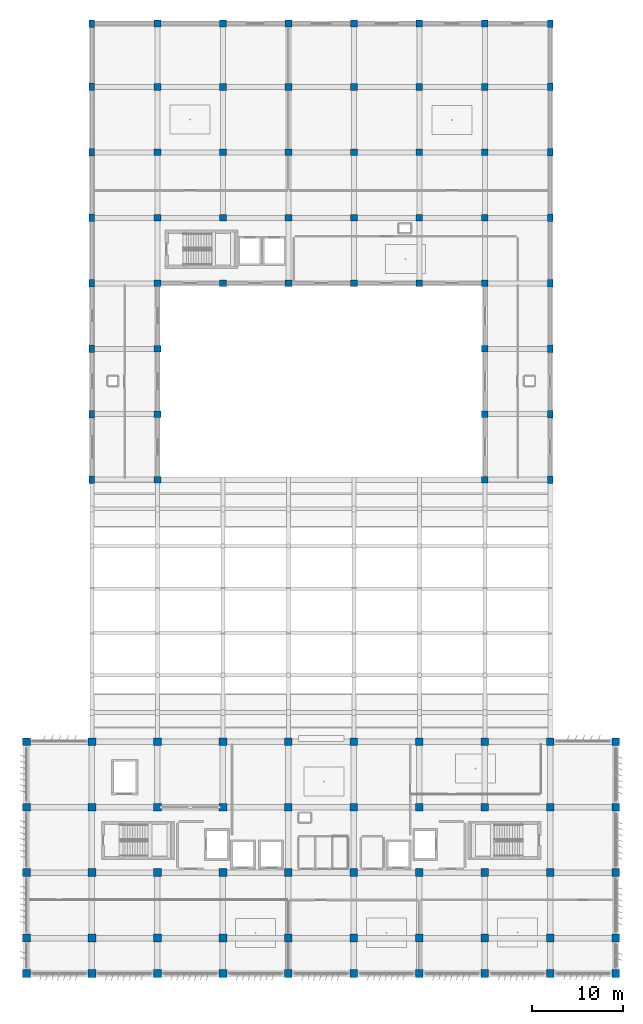
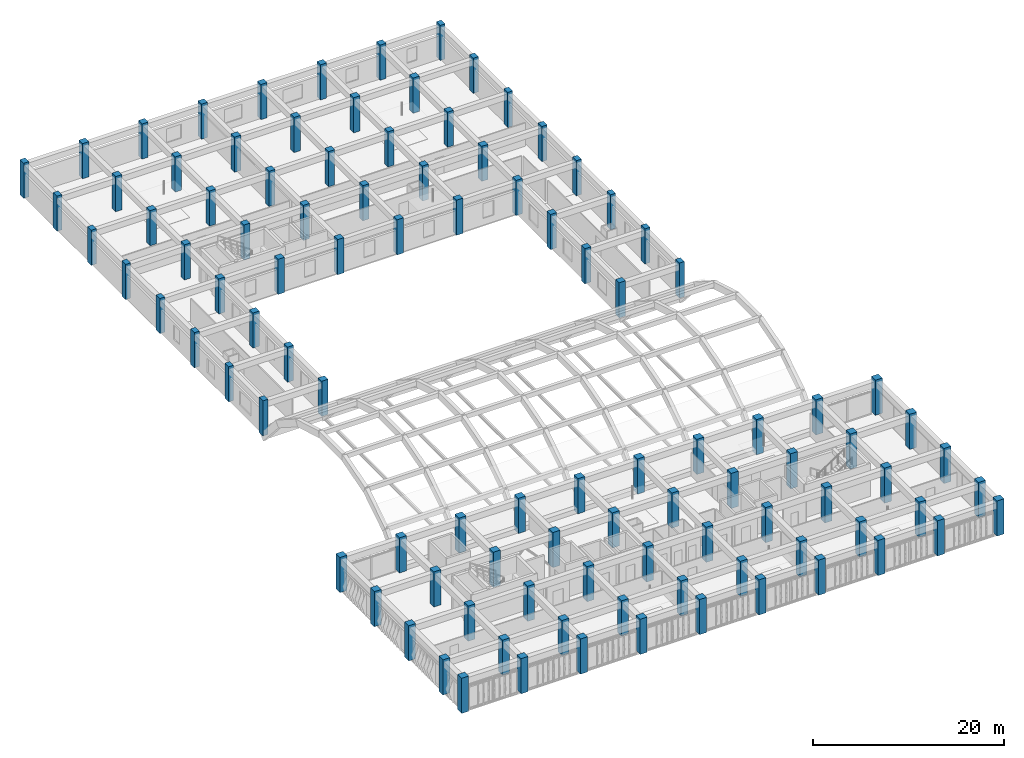
# One storey, part 1 of 48: 102 columns.
"""IFC4 building model written with IfcOpenShell, lengths in metres."""

import ifcopenshell
import ifcopenshell.guid

model = None  # the IFC model being written
_history = None  # IfcOwnerHistory: only IFC2X3 demands one
_inside = {}  # id of a spatial element -> (the spatial element, [elements in it])
_under = {}  # id of a project, library or spatial element -> (it, [spatial elements below it])
_declared = {}  # id of a project -> (the project, [libraries it declares])
_typed = {}  # id of a type object -> (the type object, [elements of that type])
_made_of = {}  # id of a material, layer set ... -> (it, [elements and type objects made of it])


def new_model(schema):
    """Start an empty IFC model of exactly this schema.

    Asked for "IFC4X3", IfcOpenShell would pick the latest addendum, in which some entities
    have other attributes; the version numbers below select the first issue.
    IFC2X3 requires an IfcOwnerHistory on every rooted entity: one is made here for all.
    """
    global model, _history
    if schema == "IFC4X3":
        model = ifcopenshell.file(schema_version=(4, 3, 0, 0))
    else:
        model = ifcopenshell.file(schema=schema)
    _inside.clear()
    _under.clear()
    _declared.clear()
    _typed.clear()
    _made_of.clear()
    _history = None
    if model.schema == "IFC2X3":
        org = make("IfcOrganization", Name="unknown")
        user = make(
            "IfcPersonAndOrganization",
            ThePerson=make("IfcPerson", FamilyName="unknown"),
            TheOrganization=org,
        )
        app = make(
            "IfcApplication",
            ApplicationDeveloper=org,
            Version="unknown",
            ApplicationFullName="unknown",
            ApplicationIdentifier="unknown",
        )
        _history = make(
            "IfcOwnerHistory",
            OwningUser=user,
            OwningApplication=app,
            ChangeAction="ADDED",
            CreationDate=0,
        )
    return model


def make(cls, **values):
    """One entity of the class cls with the attributes given. An attribute that is None is left unset."""
    return model.create_entity(
        cls, **{name: value for name, value in values.items() if value is not None}
    )


def rooted(cls, **values):
    """An entity with a GlobalId (a new one), such as an element, a storey or a relation."""
    return make(cls, GlobalId=ifcopenshell.guid.new(), OwnerHistory=_history, **values)


def si_unit(unit_type, name, prefix=None):
    """IfcSIUnit, for example si_unit("LENGTHUNIT", "METRE", prefix="MILLI")."""
    return make("IfcSIUnit", UnitType=unit_type, Prefix=prefix, Name=name)


def assignment(units):
    """IfcUnitAssignment: the units of a project."""
    return None if units is None else make("IfcUnitAssignment", Units=units)


def point(xyz):
    """IfcCartesianPoint."""
    return None if xyz is None else make("IfcCartesianPoint", Coordinates=xyz)


def direction(xyz):
    """IfcDirection."""
    return None if xyz is None else make("IfcDirection", DirectionRatios=xyz)


def frame(location, z_axis=None, x_axis=None):
    """IfcAxis2Placement3D, a coordinate frame: its origin and axes. An axis left out is left unset."""
    return make(
        "IfcAxis2Placement3D",
        Location=point(location),
        Axis=direction(z_axis),
        RefDirection=direction(x_axis),
    )


def frame_2d(location, x_axis=None):
    """IfcAxis2Placement2D, a coordinate frame in the plane: its origin and x axis."""
    return make(
        "IfcAxis2Placement2D", Location=point(location), RefDirection=direction(x_axis)
    )


def origin():
    """The frame at (0, 0, 0) with its axes left unset."""
    return frame((0.0, 0.0, 0.0))


def origin_2d():
    """The frame at (0, 0) in the plane with its x axis left unset."""
    return frame_2d((0.0, 0.0))


def place(relative_to, where):
    """IfcLocalPlacement: puts the frame where relative to a parent placement (None: the world)."""
    return make(
        "IfcLocalPlacement", PlacementRelTo=relative_to, RelativePlacement=where
    )


def context(
    kind, dimensions, precision=None, world=None, true_north=None, identifier=None
):
    """IfcGeometricRepresentationContext, for example the 3D "Model" context."""
    return make(
        "IfcGeometricRepresentationContext",
        ContextIdentifier=identifier,
        ContextType=kind,
        CoordinateSpaceDimension=dimensions,
        Precision=precision,
        WorldCoordinateSystem=world,
        TrueNorth=true_north,
    )


def subcontext(parent, identifier, kind, view, scale=None):
    """IfcGeometricRepresentationSubContext, for example "Body" below "Model"."""
    return make(
        "IfcGeometricRepresentationSubContext",
        ContextIdentifier=identifier,
        ContextType=kind,
        ParentContext=parent,
        TargetScale=scale,
        TargetView=view,
    )


def project(units=None, contexts=None):
    """IfcProject with its units and contexts."""
    return rooted(
        "IfcProject",
        Name="project",
        RepresentationContexts=contexts,
        UnitsInContext=assignment(units),
    )


def spatial(cls, under=None, at=None, **own):
    """A site, building, storey or space (cls), placed at a placement, below another one or the project."""
    s = rooted(cls, ObjectPlacement=at, **own)
    if under is not None:
        _under.setdefault(under.id(), (under, []))[1].append(s)
    return s


def profile(cls, at=None, kind="AREA", **sizes):
    """A parametric profile (cls). Its sizes go by their IFC names, for example OverallWidth=200.0."""
    return make(cls, ProfileType=kind, Position=at, **sizes)


def rectangle(**sizes):
    """IfcRectangleProfileDef."""
    return profile("IfcRectangleProfileDef", **sizes)


def extrude(swept, where, along, depth):
    """IfcExtrudedAreaSolid: the profile swept, set in the frame where, extruded along a direction by depth."""
    return make(
        "IfcExtrudedAreaSolid",
        SweptArea=swept,
        Position=where,
        ExtrudedDirection=direction(along),
        Depth=depth,
    )


def shape(context_of_items, identifier, shape_type, items):
    """IfcShapeRepresentation: the items that make up one representation, for example the "Body"."""
    return make(
        "IfcShapeRepresentation",
        ContextOfItems=context_of_items,
        RepresentationIdentifier=identifier,
        RepresentationType=shape_type,
        Items=items,
    )


def material(Name=None, Category=None):
    """IfcMaterial."""
    return make("IfcMaterial", Name=Name, Category=Category)


def material_profile(
    of_material, cross_section, Name=None, Category=None, Priority=None
):
    """IfcMaterialProfile: a cross section and its material."""
    return make(
        "IfcMaterialProfile",
        Name=Name,
        Material=of_material,
        Profile=cross_section,
        Priority=Priority,
        Category=Category,
    )


def profile_set(profiles, Name=None, composite=None):
    """IfcMaterialProfileSet."""
    return make(
        "IfcMaterialProfileSet",
        Name=Name,
        MaterialProfiles=profiles,
        CompositeProfile=composite,
    )


def made_of(thing, what):
    """Note that an element or type object is made of a material, layer set ...; save() writes the relation."""
    if what is not None:
        _made_of.setdefault(what.id(), (what, []))[1].append(thing)
    return thing


def type_object(cls, material=None, **own):
    """A type object (cls), such as IfcWallType, which elements share."""
    return made_of(rooted(cls, **own), material)


def element(
    cls,
    number,
    at=None,
    inside=None,
    cuts=None,
    type_object=None,
    material=None,
    context=None,
    identifier="Body",
    shape_type=None,
    held_by="IfcProductDefinitionShape",
    body=None,
    shapes=None,
    **own,
):
    """One element of the class cls, such as IfcWall. Its Tag is "e" and its number.

    at: its placement. inside: the storey or other place that contains it. cuts: it is an
    opening in that element (IfcRelVoidsElement). A single representation is given by context,
    identifier, shape_type and body (its items); several are given by shapes. held_by: the class
    of the entity that holds the representations. save() writes the other relations.
    """
    e = rooted(cls, Tag="e%d" % number, ObjectPlacement=at, **own)
    if body is not None:
        shapes = [shape(context, identifier, shape_type, body)]
    if shapes is not None:
        e.Representation = make(held_by, Representations=shapes)
    if inside is not None:
        _inside.setdefault(inside.id(), (inside, []))[1].append(e)
    if cuts is not None:
        rooted(
            "IfcRelVoidsElement", RelatingBuildingElement=cuts, RelatedOpeningElement=e
        )
    if type_object is not None:
        _typed.setdefault(type_object.id(), (type_object, []))[1].append(e)
    return made_of(e, material)


def aggregate(whole, parts):
    """IfcRelAggregates: a whole, such as a stair, and the parts it consists of."""
    return rooted("IfcRelAggregates", RelatingObject=whole, RelatedObjects=parts)


def save(model, path):
    """Write the relations noted so far, then the file.

    IfcRelAggregates (storeys below a building ...), IfcRelContainedInSpatialStructure (elements
    in a storey), IfcRelDefinesByType, IfcRelAssociatesMaterial and IfcRelDeclares: one each for
    every whole, place, type object, material and project.
    """
    for whole, parts in _under.values():
        aggregate(whole, parts)
    for where, things in _inside.values():
        rooted(
            "IfcRelContainedInSpatialStructure",
            RelatedElements=things,
            RelatingStructure=where,
        )
    for kind, things in _typed.values():
        rooted("IfcRelDefinesByType", RelatedObjects=things, RelatingType=kind)
    for what, things in _made_of.values():
        rooted("IfcRelAssociatesMaterial", RelatedObjects=things, RelatingMaterial=what)
    for by, libraries in _declared.values():
        rooted("IfcRelDeclares", RelatingContext=by, RelatedDefinitions=libraries)
    model.write(path)


model = new_model("IFC4")

# Units and contexts
model_context = context("Model", 3, precision=1e-05, world=origin(), true_north=direction((0.0, 1.0)))
body_context = subcontext(model_context, "Body", "Model", "MODEL_VIEW")
ifc_project = project(units=[si_unit("LENGTHUNIT", "METRE"), si_unit("AREAUNIT", "SQUARE_METRE"), si_unit("VOLUMEUNIT", "CUBIC_METRE"), si_unit("PLANEANGLEUNIT", "RADIAN"), si_unit("MASSUNIT", "GRAM", prefix="KILO")], contexts=[model_context])

# Site, building, storey
site_placement = place(None, origin())
site = spatial("IfcSite", under=ifc_project, at=site_placement, CompositionType="ELEMENT")
building_placement = place(site_placement, origin())
building = spatial("IfcBuilding", under=site, at=building_placement, Name="Kazehaya Institute of Natural Sciences", CompositionType="ELEMENT")
storey_placement = place(building_placement, frame((0.0, 0.0, 19.800048828125)))
storey = spatial("IfcBuildingStorey", under=building, at=storey_placement, Name="L04", CompositionType="ELEMENT", Elevation=19.800048828125)

# Columns
ifc_material = material(Name="Concrete Fc42", Category="concrete")
ifc_material_profile_1 = material_profile(ifc_material, rectangle(XDim=0.75, YDim=0.75, at=origin_2d()), Name="RC-750x750")
ifc_profile_set_1 = profile_set([ifc_material_profile_1], Name="Concrete Fc42")
column_type_1 = type_object("IfcColumnType", Name="COL-RC750", PredefinedType="COLUMN", material=ifc_profile_set_1)
for number, where, z_axis, x_axis, name in (
    (1, (69.0, 64.39990234375, 0.0), (0.0, 0.0, 1.0), (1.0, 0.0, 0.0), "L04 column COL-L04-0964"),
    (2, (105.0, 64.39990234375, 0.0), (0.0, 0.0, 1.0), (1.0, 0.0, 0.0), "L04 column COL-L04-0965"),
    (3, (69.0, 71.60009765625, 0.0), (0.0, 0.0, 1.0), (1.0, 0.0, 0.0), "L04 column COL-L04-0968"),
    (4, (105.0, 71.60009765625, 0.0), (0.0, 0.0, 1.0), (1.0, 0.0, 0.0), "L04 column COL-L04-0969"),
    (5, (69.0, 78.800048828125, 0.0), (0.0, 0.0, 1.0), (1.0, 0.0, 0.0), "L04 column COL-L04-0972"),
    (6, (105.0, 78.800048828125, 0.0), (0.0, 0.0, 1.0), (1.0, 0.0, 0.0), "L04 column COL-L04-0973"),
    (7, (69.0, 86.0, 0.0), (0.0, 0.0, 1.0), (1.0, 0.0, 0.0), "L04 column COL-L04-0976"),
    (8, (76.199951171875, 86.0, 0.0), (0.0, 0.0, 1.0), (1.0, 0.0, 0.0), "L04 column COL-L04-0977"),
    (9, (83.39990234375, 86.0, 0.0), (0.0, 0.0, 1.0), (1.0, 0.0, 0.0), "L04 column COL-L04-0978"),
    (10, (90.60009765625, 86.0, 0.0), (0.0, 0.0, 1.0), (1.0, 0.0, 0.0), "L04 column COL-L04-0979"),
    (11, (97.800048828125, 86.0, 0.0), (0.0, 0.0, 1.0), (1.0, 0.0, 0.0), "L04 column COL-L04-0980"),
    (12, (105.0, 86.0, 0.0), (0.0, 0.0, 1.0), (1.0, 0.0, 0.0), "L04 column COL-L04-0981"),
    (13, (69.0, 93.199951171875, 0.0), (0.0, 0.0, 1.0), (1.0, 0.0, 0.0), "L04 column COL-L04-0984"),
    (14, (76.199951171875, 93.199951171875, 0.0), (0.0, 0.0, 1.0), (1.0, 0.0, 0.0), "L04 column COL-L04-0985"),
    (15, (83.39990234375, 93.199951171875, 0.0), (0.0, 0.0, 1.0), (1.0, 0.0, 0.0), "L04 column COL-L04-0986"),
    (16, (90.60009765625, 93.199951171875, 0.0), (0.0, 0.0, 1.0), (1.0, 0.0, 0.0), "L04 column COL-L04-0987"),
    (17, (97.800048828125, 93.199951171875, 0.0), (0.0, 0.0, 1.0), (1.0, 0.0, 0.0), "L04 column COL-L04-0988"),
    (18, (105.0, 93.199951171875, 0.0), (0.0, 0.0, 1.0), (1.0, 0.0, 0.0), "L04 column COL-L04-0989"),
    (19, (69.0, 100.39990234375, 0.0), (0.0, 0.0, 1.0), (1.0, 0.0, 0.0), "L04 column COL-L04-0992"),
    (20, (76.199951171875, 100.39990234375, 0.0), (0.0, 0.0, 1.0), (1.0, 0.0, 0.0), "L04 column COL-L04-0993"),
    (21, (83.39990234375, 100.39990234375, 0.0), (0.0, 0.0, 1.0), (1.0, 0.0, 0.0), "L04 column COL-L04-0994"),
    (22, (90.60009765625, 100.39990234375, 0.0), (0.0, 0.0, 1.0), (1.0, 0.0, 0.0), "L04 column COL-L04-0995"),
    (23, (97.800048828125, 100.39990234375, 0.0), (0.0, 0.0, 1.0), (1.0, 0.0, 0.0), "L04 column COL-L04-0996"),
    (24, (105.0, 100.39990234375, 0.0), (0.0, 0.0, 1.0), (1.0, 0.0, 0.0), "L04 column COL-L04-0997"),
    (25, (69.0, 107.60009765625, 0.0), (0.0, 0.0, 1.0), (1.0, 0.0, 0.0), "L04 column COL-L04-1000"),
    (26, (76.199951171875, 107.60009765625, 0.0), (0.0, 0.0, 1.0), (1.0, 0.0, 0.0), "L04 column COL-L04-1001"),
    (27, (83.39990234375, 107.60009765625, 0.0), (0.0, 0.0, 1.0), (1.0, 0.0, 0.0), "L04 column COL-L04-1002"),
    (28, (90.60009765625, 107.60009765625, 0.0), (0.0, 0.0, 1.0), (1.0, 0.0, 0.0), "L04 column COL-L04-1003"),
    (29, (97.800048828125, 107.60009765625, 0.0), (0.0, 0.0, 1.0), (1.0, 0.0, 0.0), "L04 column COL-L04-1004"),
    (30, (105.0, 107.60009765625, 0.0), (0.0, 0.0, 1.0), (1.0, 0.0, 0.0), "L04 column COL-L04-1005"),
    (31, (69.0, 114.550048828125, 0.0), (0.0, 0.0, 1.0), (1.0, 0.0, 0.0), "L04 column COL-L04-1008"),
    (32, (76.199951171875, 114.550048828125, 0.0), (0.0, 0.0, 1.0), (1.0, 0.0, 0.0), "L04 column COL-L04-1009"),
    (33, (83.39990234375, 114.550048828125, 0.0), (0.0, 0.0, 1.0), (1.0, 0.0, 0.0), "L04 column COL-L04-1010"),
    (34, (90.60009765625, 114.550048828125, 0.0), (0.0, 0.0, 1.0), (1.0, 0.0, 0.0), "L04 column COL-L04-1011"),
    (35, (97.800048828125, 114.550048828125, 0.0), (0.0, 0.0, 1.0), (1.0, 0.0, 0.0), "L04 column COL-L04-1012"),
    (36, (105.0, 114.550048828125, 0.0), (0.0, 0.0, 1.0), (1.0, 0.0, 0.0), "L04 column COL-L04-1013"),
):
    element("IfcColumn", number, at=place(storey_placement, frame(where, z_axis=z_axis, x_axis=x_axis)), inside=storey, type_object=column_type_1, Name=name, PredefinedType="COLUMN", context=body_context, shape_type="SweptSolid", body=[
        extrude(rectangle(XDim=0.75, YDim=0.75, at=origin_2d()), origin(), (0.0, 0.0, 1.0), 4.5),
    ])
ifc_material_profile_2 = material_profile(ifc_material, rectangle(XDim=0.60009765625, YDim=0.800048828125, at=origin_2d()), Name="RC-800x600")
ifc_profile_set_2 = profile_set([ifc_material_profile_2], Name="Concrete Fc42")
column_type_2 = type_object("IfcColumnType", Name="COL-RC800x600", PredefinedType="COLUMN", material=ifc_profile_set_2)
for number, where, z_axis, x_axis, name in (
    (37, (61.800048828125, 64.39990234375, 0.0), (0.0, 0.0, 1.0), (1.0, 0.0, 0.0), "L04 column COL-L04-0963"),
    (38, (112.199951171875, 64.39990234375, 0.0), (0.0, 0.0, 1.0), (1.0, 0.0, 0.0), "L04 column COL-L04-0966"),
    (39, (61.800048828125, 71.60009765625, 0.0), (0.0, 0.0, 1.0), (1.0, 0.0, 0.0), "L04 column COL-L04-0967"),
    (40, (112.199951171875, 71.60009765625, 0.0), (0.0, 0.0, 1.0), (1.0, 0.0, 0.0), "L04 column COL-L04-0970"),
    (41, (61.800048828125, 78.800048828125, 0.0), (0.0, 0.0, 1.0), (1.0, 0.0, 0.0), "L04 column COL-L04-0971"),
    (42, (112.199951171875, 78.800048828125, 0.0), (0.0, 0.0, 1.0), (1.0, 0.0, 0.0), "L04 column COL-L04-0974"),
    (43, (61.800048828125, 86.0, 0.0), (0.0, 0.0, 1.0), (1.0, 0.0, 0.0), "L04 column COL-L04-0975"),
    (44, (112.199951171875, 86.0, 0.0), (0.0, 0.0, 1.0), (1.0, 0.0, 0.0), "L04 column COL-L04-0982"),
    (45, (61.800048828125, 93.199951171875, 0.0), (0.0, 0.0, 1.0), (1.0, 0.0, 0.0), "L04 column COL-L04-0983"),
    (46, (112.199951171875, 93.199951171875, 0.0), (0.0, 0.0, 1.0), (1.0, 0.0, 0.0), "L04 column COL-L04-0990"),
    (47, (61.800048828125, 100.39990234375, 0.0), (0.0, 0.0, 1.0), (1.0, 0.0, 0.0), "L04 column COL-L04-0991"),
    (48, (112.199951171875, 100.39990234375, 0.0), (0.0, 0.0, 1.0), (1.0, 0.0, 0.0), "L04 column COL-L04-0998"),
    (49, (61.800048828125, 107.60009765625, 0.0), (0.0, 0.0, 1.0), (1.0, 0.0, 0.0), "L04 column COL-L04-0999"),
    (50, (112.199951171875, 107.60009765625, 0.0), (0.0, 0.0, 1.0), (1.0, 0.0, 0.0), "L04 column COL-L04-1006"),
    (51, (61.800048828125, 114.550048828125, 0.0), (0.0, 0.0, 1.0), (1.0, 0.0, 0.0), "L04 column COL-L04-1007"),
    (52, (112.199951171875, 114.550048828125, 0.0), (0.0, 0.0, 1.0), (1.0, 0.0, 0.0), "L04 column COL-L04-1014"),
):
    element("IfcColumn", number, at=place(storey_placement, frame(where, z_axis=z_axis, x_axis=x_axis)), inside=storey, type_object=column_type_2, Name=name, PredefinedType="COLUMN", context=body_context, shape_type="SweptSolid", body=[
        extrude(rectangle(XDim=0.60009765625, YDim=0.800048828125, at=origin_2d()), origin(), (0.0, 0.0, 1.0), 4.5),
    ])
ifc_material_profile_3 = material_profile(ifc_material, rectangle(XDim=0.85009765625, YDim=0.85009765625, at=origin_2d()), Name="RC-850x850")
ifc_profile_set_3 = profile_set([ifc_material_profile_3], Name="Concrete Fc42")
column_type_3 = type_object("IfcColumnType", Name="COL-RC850", PredefinedType="COLUMN", material=ifc_profile_set_3)
for number, where, z_axis, x_axis, name in (
    (53, (54.60009765625, 10.10009765625, 0.0), (0.0, 0.0, 1.0), (1.0, 0.0, 0.0), "L04 column COL-L04-0913"),
    (54, (61.800048828125, 10.10009765625, 0.0), (0.0, 0.0, 1.0), (1.0, 0.0, 0.0), "L04 column COL-L04-0914"),
    (55, (69.0, 10.10009765625, 0.0), (0.0, 0.0, 1.0), (1.0, 0.0, 0.0), "L04 column COL-L04-0915"),
    (56, (76.199951171875, 10.10009765625, 0.0), (0.0, 0.0, 1.0), (1.0, 0.0, 0.0), "L04 column COL-L04-0916"),
    (57, (83.39990234375, 10.10009765625, 0.0), (0.0, 0.0, 1.0), (1.0, 0.0, 0.0), "L04 column COL-L04-0917"),
    (58, (90.60009765625, 10.10009765625, 0.0), (0.0, 0.0, 1.0), (1.0, 0.0, 0.0), "L04 column COL-L04-0918"),
    (59, (97.800048828125, 10.10009765625, 0.0), (0.0, 0.0, 1.0), (1.0, 0.0, 0.0), "L04 column COL-L04-0919"),
    (60, (105.0, 10.10009765625, 0.0), (0.0, 0.0, 1.0), (1.0, 0.0, 0.0), "L04 column COL-L04-0920"),
    (61, (112.199951171875, 10.10009765625, 0.0), (0.0, 0.0, 1.0), (1.0, 0.0, 0.0), "L04 column COL-L04-0921"),
    (62, (119.39990234375, 10.10009765625, 0.0), (0.0, 0.0, 1.0), (1.0, 0.0, 0.0), "L04 column COL-L04-0922"),
    (63, (54.60009765625, 14.0, 0.0), (0.0, 0.0, 1.0), (1.0, 0.0, 0.0), "L04 column COL-L04-0923"),
    (64, (61.800048828125, 14.0, 0.0), (0.0, 0.0, 1.0), (1.0, 0.0, 0.0), "L04 column COL-L04-0924"),
    (65, (69.0, 14.0, 0.0), (0.0, 0.0, 1.0), (1.0, 0.0, 0.0), "L04 column COL-L04-0925"),
    (66, (76.199951171875, 14.0, 0.0), (0.0, 0.0, 1.0), (1.0, 0.0, 0.0), "L04 column COL-L04-0926"),
    (67, (83.39990234375, 14.0, 0.0), (0.0, 0.0, 1.0), (1.0, 0.0, 0.0), "L04 column COL-L04-0927"),
    (68, (90.60009765625, 14.0, 0.0), (0.0, 0.0, 1.0), (1.0, 0.0, 0.0), "L04 column COL-L04-0928"),
    (69, (97.800048828125, 14.0, 0.0), (0.0, 0.0, 1.0), (1.0, 0.0, 0.0), "L04 column COL-L04-0929"),
    (70, (105.0, 14.0, 0.0), (0.0, 0.0, 1.0), (1.0, 0.0, 0.0), "L04 column COL-L04-0930"),
    (71, (112.199951171875, 14.0, 0.0), (0.0, 0.0, 1.0), (1.0, 0.0, 0.0), "L04 column COL-L04-0931"),
    (72, (119.39990234375, 14.0, 0.0), (0.0, 0.0, 1.0), (1.0, 0.0, 0.0), "L04 column COL-L04-0932"),
    (73, (54.60009765625, 21.199951171875, 0.0), (0.0, 0.0, 1.0), (1.0, 0.0, 0.0), "L04 column COL-L04-0933"),
    (74, (61.800048828125, 21.199951171875, 0.0), (0.0, 0.0, 1.0), (1.0, 0.0, 0.0), "L04 column COL-L04-0934"),
    (75, (69.0, 21.199951171875, 0.0), (0.0, 0.0, 1.0), (1.0, 0.0, 0.0), "L04 column COL-L04-0935"),
    (76, (76.199951171875, 21.199951171875, 0.0), (0.0, 0.0, 1.0), (1.0, 0.0, 0.0), "L04 column COL-L04-0936"),
    (77, (83.39990234375, 21.199951171875, 0.0), (0.0, 0.0, 1.0), (1.0, 0.0, 0.0), "L04 column COL-L04-0937"),
    (78, (90.60009765625, 21.199951171875, 0.0), (0.0, 0.0, 1.0), (1.0, 0.0, 0.0), "L04 column COL-L04-0938"),
    (79, (97.800048828125, 21.199951171875, 0.0), (0.0, 0.0, 1.0), (1.0, 0.0, 0.0), "L04 column COL-L04-0939"),
    (80, (105.0, 21.199951171875, 0.0), (0.0, 0.0, 1.0), (1.0, 0.0, 0.0), "L04 column COL-L04-0940"),
    (81, (112.199951171875, 21.199951171875, 0.0), (0.0, 0.0, 1.0), (1.0, 0.0, 0.0), "L04 column COL-L04-0941"),
    (82, (119.39990234375, 21.199951171875, 0.0), (0.0, 0.0, 1.0), (1.0, 0.0, 0.0), "L04 column COL-L04-0942"),
    (83, (54.60009765625, 28.39990234375, 0.0), (0.0, 0.0, 1.0), (1.0, 0.0, 0.0), "L04 column COL-L04-0943"),
    (84, (61.800048828125, 28.39990234375, 0.0), (0.0, 0.0, 1.0), (1.0, 0.0, 0.0), "L04 column COL-L04-0944"),
    (85, (69.0, 28.39990234375, 0.0), (0.0, 0.0, 1.0), (1.0, 0.0, 0.0), "L04 column COL-L04-0945"),
    (86, (76.199951171875, 28.39990234375, 0.0), (0.0, 0.0, 1.0), (1.0, 0.0, 0.0), "L04 column COL-L04-0946"),
    (87, (83.39990234375, 28.39990234375, 0.0), (0.0, 0.0, 1.0), (1.0, 0.0, 0.0), "L04 column COL-L04-0947"),
    (88, (90.60009765625, 28.39990234375, 0.0), (0.0, 0.0, 1.0), (1.0, 0.0, 0.0), "L04 column COL-L04-0948"),
    (89, (97.800048828125, 28.39990234375, 0.0), (0.0, 0.0, 1.0), (1.0, 0.0, 0.0), "L04 column COL-L04-0949"),
    (90, (105.0, 28.39990234375, 0.0), (0.0, 0.0, 1.0), (1.0, 0.0, 0.0), "L04 column COL-L04-0950"),
    (91, (112.199951171875, 28.39990234375, 0.0), (0.0, 0.0, 1.0), (1.0, 0.0, 0.0), "L04 column COL-L04-0951"),
    (92, (119.39990234375, 28.39990234375, 0.0), (0.0, 0.0, 1.0), (1.0, 0.0, 0.0), "L04 column COL-L04-0952"),
    (93, (54.60009765625, 35.60009765625, 0.0), (0.0, 0.0, 1.0), (1.0, 0.0, 0.0), "L04 column COL-L04-0953"),
    (94, (61.800048828125, 35.60009765625, 0.0), (0.0, 0.0, 1.0), (1.0, 0.0, 0.0), "L04 column COL-L04-0954"),
    (95, (69.0, 35.60009765625, 0.0), (0.0, 0.0, 1.0), (1.0, 0.0, 0.0), "L04 column COL-L04-0955"),
    (96, (76.199951171875, 35.60009765625, 0.0), (0.0, 0.0, 1.0), (1.0, 0.0, 0.0), "L04 column COL-L04-0956"),
    (97, (83.39990234375, 35.60009765625, 0.0), (0.0, 0.0, 1.0), (1.0, 0.0, 0.0), "L04 column COL-L04-0957"),
    (98, (90.60009765625, 35.60009765625, 0.0), (0.0, 0.0, 1.0), (1.0, 0.0, 0.0), "L04 column COL-L04-0958"),
    (99, (97.800048828125, 35.60009765625, 0.0), (0.0, 0.0, 1.0), (1.0, 0.0, 0.0), "L04 column COL-L04-0959"),
    (100, (105.0, 35.60009765625, 0.0), (0.0, 0.0, 1.0), (1.0, 0.0, 0.0), "L04 column COL-L04-0960"),
    (101, (112.199951171875, 35.60009765625, 0.0), (0.0, 0.0, 1.0), (1.0, 0.0, 0.0), "L04 column COL-L04-0961"),
    (102, (119.39990234375, 35.60009765625, 0.0), (0.0, 0.0, 1.0), (1.0, 0.0, 0.0), "L04 column COL-L04-0962"),
):
    element("IfcColumn", number, at=place(storey_placement, frame(where, z_axis=z_axis, x_axis=x_axis)), inside=storey, type_object=column_type_3, Name=name, PredefinedType="COLUMN", context=body_context, shape_type="SweptSolid", body=[
        extrude(rectangle(XDim=0.85009765625, YDim=0.85009765625, at=origin_2d()), origin(), (0.0, 0.0, 1.0), 4.5),
    ])

save(model, "model.ifc")
